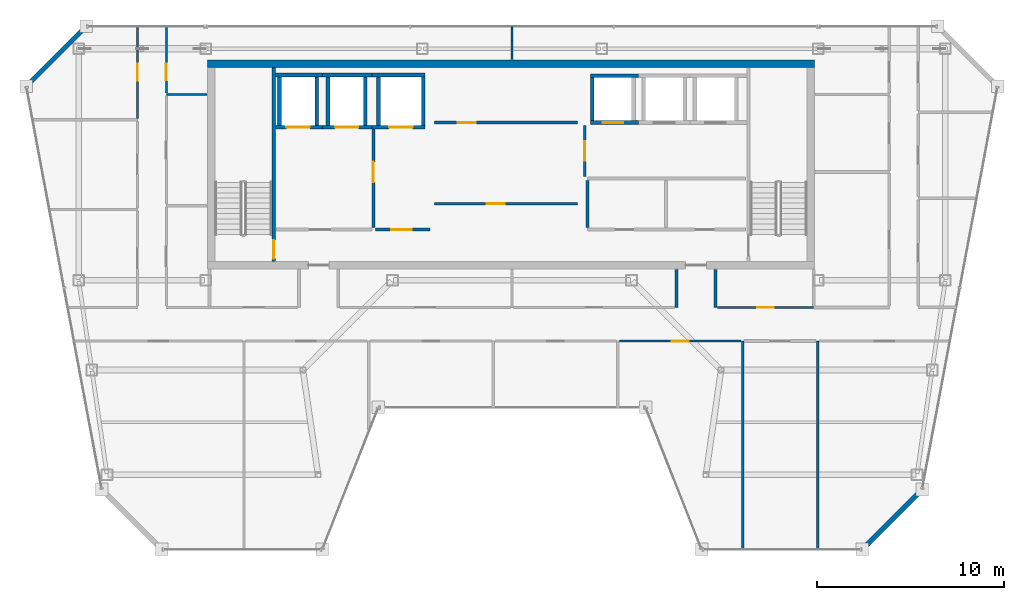
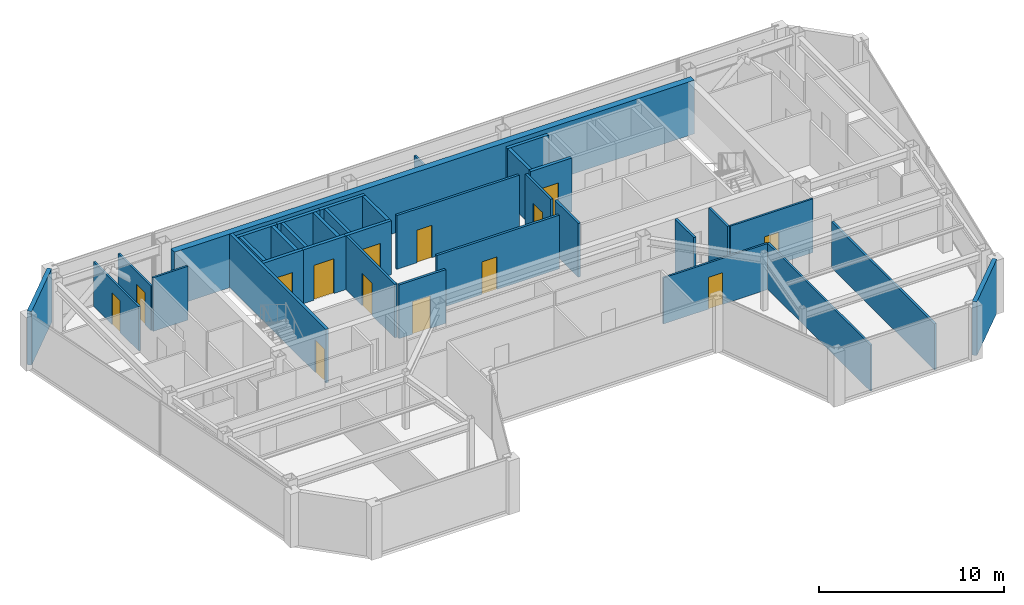
# One storey, part 19 of 23: 35 walls, 14 doors, 14 openings.
"""IFC4 building model written with IfcOpenShell, lengths in metres."""

from ifc_helpers import new_model, si_unit, direction, frame, frame_2d, origin, place, context, subcontext, project, spatial, rectangle, extrude, material, layer, layer_set, type_object, element, fill, save


model = new_model("IFC4")

# Units and contexts
model_context = context("Model", 3, precision=1e-05, world=origin(), true_north=direction((0.0, 1.0)))
body_context = subcontext(model_context, "Body", "Model", "MODEL_VIEW")
ifc_project = project(units=[si_unit("LENGTHUNIT", "METRE"), si_unit("AREAUNIT", "SQUARE_METRE"), si_unit("VOLUMEUNIT", "CUBIC_METRE"), si_unit("PLANEANGLEUNIT", "RADIAN"), si_unit("MASSUNIT", "GRAM", prefix="KILO")], contexts=[model_context])

# Site, building, storey
site_placement = place(None, origin())
site = spatial("IfcSite", under=ifc_project, at=site_placement, CompositionType="ELEMENT")
building_placement = place(site_placement, origin())
building = spatial("IfcBuilding", under=site, at=building_placement, Name="Saevonmaru Cultural Tower", CompositionType="ELEMENT")
storey_placement = place(building_placement, frame((0.0, 0.0, 280.0)))
storey = spatial("IfcBuildingStorey", under=building, at=storey_placement, Name="L66", CompositionType="ELEMENT", Elevation=280.0)

# Wall
ifc_material_1 = material(Name="Concrete C50/60", Category="concrete")
ifc_layer_1 = layer(ifc_material_1, 0.39990234375, Name="Concrete C50/60")
ifc_layer_set_1 = layer_set([ifc_layer_1], Name="Concrete C50/60")
wall_type_1 = type_object("IfcWallType", Name="WL-CORE-400", PredefinedType="SHEAR", material=ifc_layer_set_1)
wall_1_placement = place(storey_placement, frame((13.699951171875, 54.0, 0.0), z_axis=(0.0, 0.0, 1.0), x_axis=(1.0, 0.0, 0.0)))
element("IfcWall", 1, at=wall_1_placement, inside=storey, type_object=wall_type_1, Name="L66 Tower RC core shear wall N", PredefinedType="SHEAR", context=body_context, shape_type="SweptSolid", body=[
    extrude(rectangle(XDim=32.5, YDim=0.39990234375, at=frame_2d((16.25, 0.0))), origin(), (0.0, 0.0, 1.0), 3.550048828125),
])

# Wall, opening, door
ifc_material_2 = material(Name="Gypsum Fireboard Partition", Category="gypsum")
ifc_layer_2 = layer(ifc_material_2, 0.14990234375, Name="Gypsum Fireboard Partition")
ifc_layer_set_2 = layer_set([ifc_layer_2], Name="Gypsum Fireboard Partition")
wall_type_2 = type_object("IfcWallType", Name="WL-CORE-PART-150", PredefinedType="PARTITIONING", material=ifc_layer_set_2)
wall_2_placement = place(storey_placement, frame((22.580078125, 50.550048828125, 0.0), z_axis=(0.0, 0.0, 1.0), x_axis=(0.0, -1.0, 0.0)))
wall_2 = element("IfcWall", 2, at=wall_2_placement, inside=storey, type_object=wall_type_2, Name="L66 Firefighting Lift Lobby East Wall", PredefinedType="PARTITIONING", context=body_context, shape_type="SweptSolid", body=[
    extrude(rectangle(XDim=5.330078125, YDim=0.14990234375, at=frame_2d((2.6650390625, 0.0))), origin(), (0.0, 0.0, 1.0), 3.550048828125),
])
opening_1_placement = place(wall_2_placement, frame((1.800048828125, 0.0, 0.0)))
opening_1 = element("IfcOpeningElement", 3, at=opening_1_placement, cuts=wall_2, Name="Opening FD-2", PredefinedType="OPENING", context=body_context, shape_type="SweptSolid", body=[
    extrude(rectangle(XDim=1.10009765625, YDim=2.14990234375, at=frame_2d((0.550048828125, 1.074951171875))), frame((0.0, 0.0849609375, 0.0), z_axis=(0.0, -1.0, 0.0), x_axis=(1.0, 0.0, 0.0)), (0.0, 0.0, 1.0), 0.169921875),
])
ifc_material_3 = material(Name="Satin Bronze Anodised Aluminium", Category="aluminium")
door_type_1 = type_object("IfcDoorType", Name="DR-FD60-1100", OperationType="SINGLE_SWING_LEFT", PredefinedType="DOOR", material=ifc_material_3)
door_1_placement = place(opening_1_placement, origin())
door_1 = element("IfcDoor", 4, at=door_1_placement, inside=storey, type_object=door_type_1, Name="L66 Firefighting Lift Lobby East Door", OperationType="SINGLE_SWING_LEFT", OverallHeight=2.14990234375, OverallWidth=1.10009765625, PredefinedType="DOOR", context=body_context, shape_type="SweptSolid", body=[
    extrude(rectangle(XDim=1.10009765625, YDim=2.14990234375, at=frame_2d((0.550048828125, 1.074951171875))), frame((0.0, 0.02490234375, 0.0), z_axis=(0.0, -1.0, 0.0), x_axis=(1.0, 0.0, 0.0)), (0.0, 0.0, 1.0), 0.050048828125),
])
fill(opening_1, door_1)

wall_3_placement = place(storey_placement, frame((22.679931640625, 45.1201171875, 0.0), z_axis=(0.0, 0.0, 1.0), x_axis=(1.0, 0.0, 0.0)))
wall_3 = element("IfcWall", 5, at=wall_3_placement, inside=storey, type_object=wall_type_2, Name="L66 Service Lift Vestibule Wall", PredefinedType="PARTITIONING", context=body_context, shape_type="SweptSolid", body=[
    extrude(rectangle(XDim=2.920166015625, YDim=0.14990234375, at=frame_2d((1.4599609375, 0.0))), origin(), (0.0, 0.0, 1.0), 3.550048828125),
])
opening_2_placement = place(wall_3_placement, frame((0.85009765625, 0.0, 0.0)))
opening_2 = element("IfcOpeningElement", 6, at=opening_2_placement, cuts=wall_3, Name="Opening FD-2", PredefinedType="OPENING", context=body_context, shape_type="SweptSolid", body=[
    extrude(rectangle(XDim=1.10009765625, YDim=2.14990234375, at=frame_2d((0.550048828125, 1.074951171875))), frame((0.0, 0.0849609375, 0.0), z_axis=(0.0, -1.0, 0.0), x_axis=(1.0, 0.0, 0.0)), (0.0, 0.0, 1.0), 0.169921875),
])
door_2_placement = place(opening_2_placement, origin())
door_2 = element("IfcDoor", 7, at=door_2_placement, inside=storey, type_object=door_type_1, Name="L66 Service Lift Vestibule Door", OperationType="SINGLE_SWING_LEFT", OverallHeight=2.14990234375, OverallWidth=1.10009765625, PredefinedType="DOOR", context=body_context, shape_type="SweptSolid", body=[
    extrude(rectangle(XDim=1.10009765625, YDim=2.14990234375, at=frame_2d((0.550048828125, 1.074951171875))), frame((0.0, 0.02490234375, 0.0), z_axis=(0.0, -1.0, 0.0), x_axis=(1.0, 0.0, 0.0)), (0.0, 0.0, 1.0), 0.050048828125),
])
fill(opening_2, door_2)

wall_4_placement = place(storey_placement, frame((33.89990234375, 47.949951171875, 0.0), z_axis=(0.0, 0.0, 1.0), x_axis=(0.0, 1.0, 0.0)))
wall_4 = element("IfcWall", 8, at=wall_4_placement, inside=storey, type_object=wall_type_2, Name="L66 Zone Lobby Divider", PredefinedType="PARTITIONING", context=body_context, shape_type="SweptSolid", body=[
    extrude(rectangle(XDim=2.75, YDim=0.14990234375, at=frame_2d((1.375, 0.0))), origin(), (0.0, 0.0, 1.0), 3.550048828125),
])
opening_3_placement = place(wall_4_placement, frame((0.85009765625, 0.0, 0.0)))
opening_3 = element("IfcOpeningElement", 9, at=opening_3_placement, cuts=wall_4, Name="Opening ID-1", PredefinedType="OPENING", context=body_context, shape_type="SweptSolid", body=[
    extrude(rectangle(XDim=1.050048828125, YDim=2.14990234375, at=frame_2d((0.52490234375, 1.074951171875))), frame((0.0, 0.0849609375, 0.0), z_axis=(0.0, -1.0, 0.0), x_axis=(1.0, 0.0, 0.0)), (0.0, 0.0, 1.0), 0.169921875),
])
door_type_2 = type_object("IfcDoorType", Name="DR-INT-1050", OperationType="SINGLE_SWING_LEFT", PredefinedType="DOOR", material=ifc_material_3)
door_3_placement = place(opening_3_placement, origin())
door_3 = element("IfcDoor", 10, at=door_3_placement, inside=storey, type_object=door_type_2, Name="L66 Inter-Lobby Link Door", OperationType="SINGLE_SWING_LEFT", OverallHeight=2.14990234375, OverallWidth=1.050048828125, PredefinedType="DOOR", context=body_context, shape_type="SweptSolid", body=[
    extrude(rectangle(XDim=1.050048828125, YDim=2.14990234375, at=frame_2d((0.52490234375, 1.074951171875))), frame((0.0, 0.02490234375, 0.0), z_axis=(0.0, -1.0, 0.0), x_axis=(1.0, 0.0, 0.0)), (0.0, 0.0, 1.0), 0.050048828125),
])
fill(opening_3, door_3)

# Wall
wall_5_placement = place(storey_placement, frame((34.050048828125, 45.219970703125, 0.0), z_axis=(0.0, 0.0, 1.0), x_axis=(0.0, 1.0, 0.0)))
element("IfcWall", 11, at=wall_5_placement, inside=storey, type_object=wall_type_2, Name="L66 Core Plant West Wall", PredefinedType="PARTITIONING", context=body_context, shape_type="SweptSolid", body=[
    extrude(rectangle(XDim=2.530029296875, YDim=0.14990234375, at=frame_2d((1.26513671875, 0.0))), origin(), (0.0, 0.0, 1.0), 3.550048828125),
])

# Wall, opening, door
wall_6_placement = place(storey_placement, frame((25.85009765625, 50.85009765625, 0.0), z_axis=(0.0, 0.0, 1.0), x_axis=(1.0, 0.0, 0.0)))
wall_6 = element("IfcWall", 12, at=wall_6_placement, inside=storey, type_object=wall_type_2, Name="L66 Reclaimed Core Room South Wall", PredefinedType="PARTITIONING", context=body_context, shape_type="SweptSolid", body=[
    extrude(rectangle(XDim=7.64990234375, YDim=0.14990234375, at=frame_2d((3.824951171875, 0.0))), origin(), (0.0, 0.0, 1.0), 3.550048828125),
])
opening_4_placement = place(wall_6_placement, frame((1.25, 0.0, 0.0)))
opening_4 = element("IfcOpeningElement", 13, at=opening_4_placement, cuts=wall_6, Name="Opening FD-4", PredefinedType="OPENING", context=body_context, shape_type="SweptSolid", body=[
    extrude(rectangle(XDim=0.949951171875, YDim=2.14990234375, at=frame_2d((0.47509765625, 1.074951171875))), frame((0.0, 0.0849609375, 0.0), z_axis=(0.0, -1.0, 0.0), x_axis=(1.0, 0.0, 0.0)), (0.0, 0.0, 1.0), 0.169921875),
])
door_type_3 = type_object("IfcDoorType", Name="DR-FD60-950", OperationType="SINGLE_SWING_LEFT", PredefinedType="DOOR", material=ifc_material_3)
door_4_placement = place(opening_4_placement, origin())
door_4 = element("IfcDoor", 14, at=door_4_placement, inside=storey, type_object=door_type_3, Name="L66 Reclaimed Archive Vault Door", OperationType="SINGLE_SWING_LEFT", OverallHeight=2.14990234375, OverallWidth=0.949951171875, PredefinedType="DOOR", context=body_context, shape_type="SweptSolid", body=[
    extrude(rectangle(XDim=0.949951171875, YDim=2.14990234375, at=frame_2d((0.47509765625, 1.074951171875))), frame((0.0, 0.02490234375, 0.0), z_axis=(0.0, -1.0, 0.0), x_axis=(1.0, 0.0, 0.0)), (0.0, 0.0, 1.0), 0.050048828125),
])
fill(opening_4, door_4)

wall_7_placement = place(storey_placement, frame((25.85009765625, 46.5, 0.0), z_axis=(0.0, 0.0, 1.0), x_axis=(1.0, 0.0, 0.0)))
wall_7 = element("IfcWall", 15, at=wall_7_placement, inside=storey, type_object=wall_type_2, Name="L66 Reclaimed Mid-Shaft Wall", PredefinedType="PARTITIONING", context=body_context, shape_type="SweptSolid", body=[
    extrude(rectangle(XDim=7.64990234375, YDim=0.14990234375, at=frame_2d((3.824951171875, 0.0))), origin(), (0.0, 0.0, 1.0), 3.550048828125),
])
opening_5_placement = place(wall_7_placement, frame((2.800048828125, 0.0, 0.0)))
opening_5 = element("IfcOpeningElement", 16, at=opening_5_placement, cuts=wall_7, Name="Opening FD-4", PredefinedType="OPENING", context=body_context, shape_type="SweptSolid", body=[
    extrude(rectangle(XDim=0.949951171875, YDim=2.14990234375, at=frame_2d((0.47509765625, 1.074951171875))), frame((0.0, 0.0849609375, 0.0), z_axis=(0.0, -1.0, 0.0), x_axis=(1.0, 0.0, 0.0)), (0.0, 0.0, 1.0), 0.169921875),
])
door_5_placement = place(opening_5_placement, origin())
door_5 = element("IfcDoor", 17, at=door_5_placement, inside=storey, type_object=door_type_3, Name="L66 Reclaimed Manuscript Storage Door", OperationType="SINGLE_SWING_LEFT", OverallHeight=2.14990234375, OverallWidth=0.949951171875, PredefinedType="DOOR", context=body_context, shape_type="SweptSolid", body=[
    extrude(rectangle(XDim=0.949951171875, YDim=2.14990234375, at=frame_2d((0.47509765625, 1.074951171875))), frame((0.0, 0.02490234375, 0.0), z_axis=(0.0, -1.0, 0.0), x_axis=(1.0, 0.0, 0.0)), (0.0, 0.0, 1.0), 0.050048828125),
])
fill(opening_5, door_5)

# Walls
ifc_material_4 = material(Name="Granite-Clad Precast Concrete C40/50", Category="masonry")
ifc_layer_3 = layer(ifc_material_4, 0.260009765625, Name="Granite-Clad Precast Concrete C40/50")
ifc_layer_set_3 = layer_set([ifc_layer_3], Name="Granite-Clad Precast Concrete C40/50")
wall_type_3 = type_object("IfcWallType", Name="WL-EXT-SPANDREL-260", PredefinedType="STANDARD", material=ifc_layer_set_3)
for number, where, z_axis, x_axis, name in (
    (18, (48.86865234375, 28.113037109375, 0.0), (0.0, 0.0, 1.0), (0.707106781187, 0.707106781187, 0.0), "L66 Chamfer Corner Spandrel Wall E7"),
    (19, (7.0869140625, 55.886962890625, 0.0), (0.0, 0.0, 1.0), (-0.707106781187, -0.707106781187, 0.0), "L66 Chamfer Corner Spandrel Wall E11"),
):
    element("IfcWall", number, at=place(storey_placement, frame(where, z_axis=z_axis, x_axis=x_axis)), inside=storey, type_object=wall_type_3, Name=name, PredefinedType="STANDARD", context=body_context, shape_type="SweptSolid", body=[
        extrude(rectangle(XDim=4.205810546875, YDim=0.260009765625, at=frame_2d((2.10302734375, 0.0))), origin(), (0.0, 0.0, 1.0), 3.550048828125),
    ])
ifc_layer_4 = layer(ifc_material_2, 0.14990234375, Name="Gypsum Fireboard Partition")
ifc_layer_set_4 = layer_set([ifc_layer_4], Name="Gypsum Fireboard Partition")
wall_type_4 = type_object("IfcWallType", Name="WL-PART-FIRE-150", PredefinedType="PARTITIONING", material=ifc_layer_set_4)
for number, where, z_axis, x_axis, name in (
    (20, (38.800048828125, 40.949951171875, 0.0), (0.0, 0.0, 1.0), (0.0, 1.0, 0.0), "L66 Core Portal Side Wall E1"),
    (21, (40.89990234375, 40.949951171875, 0.0), (0.0, 0.0, 1.0), (0.0, 1.0, 0.0), "L66 Core Portal Side Wall E2"),
):
    element("IfcWall", number, at=place(storey_placement, frame(where, z_axis=z_axis, x_axis=x_axis)), inside=storey, type_object=wall_type_4, Name=name, PredefinedType="PARTITIONING", context=body_context, shape_type="SweptSolid", body=[
        extrude(rectangle(XDim=2.030029296875, YDim=0.14990234375, at=frame_2d((1.01513671875, 0.0))), origin(), (0.0, 0.0, 1.0), 3.550048828125),
    ])
ifc_layer_5 = layer(ifc_material_2, 0.1201171875, Name="Gypsum Fireboard Partition")
ifc_layer_set_5 = layer_set([ifc_layer_5], Name="Gypsum Fireboard Partition")
wall_type_5 = type_object("IfcWallType", Name="WL-PART-GYP-120", PredefinedType="PARTITIONING", material=ifc_layer_set_5)
wall_8_placement = place(storey_placement, frame((11.5, 52.35009765625, 0.0), z_axis=(0.0, 0.0, 1.0), x_axis=(1.0, 0.0, 0.0)))
element("IfcWall", 22, at=wall_8_placement, inside=storey, type_object=wall_type_5, Name="L66 North-West Panorama South Wall", PredefinedType="PARTITIONING", context=body_context, shape_type="SweptSolid", body=[
    extrude(rectangle(XDim=2.179931640625, YDim=0.1201171875, at=frame_2d((1.08984375, 0.0))), origin(), (0.0, 0.0, 1.0), 3.550048828125),
])
wall_9_placement = place(storey_placement, frame((30.0, 54.219970703125, 0.0), z_axis=(0.0, 0.0, 1.0), x_axis=(0.0, 1.0, 0.0)))
element("IfcWall", 23, at=wall_9_placement, inside=storey, type_object=wall_type_5, Name="L66 North Panorama Center Split", PredefinedType="PARTITIONING", context=body_context, shape_type="SweptSolid", body=[
    extrude(rectangle(XDim=1.775146484375, YDim=0.1201171875, at=frame_2d((0.8876953125, 0.0))), origin(), (0.0, 0.0, 1.0), 2.93505859375),
])

# Wall, opening, door
wall_10_placement = place(storey_placement, frame((11.5, 52.429931640625, 0.0), z_axis=(0.0, 0.0, 1.0), x_axis=(0.0, 1.0, 0.0)))
wall_10 = element("IfcWall", 24, at=wall_10_placement, inside=storey, type_object=wall_type_5, Name="L66 Typography Design Classroom Corridor Wall", PredefinedType="PARTITIONING", context=body_context, shape_type="SweptSolid", body=[
    extrude(rectangle(XDim=3.565185546875, YDim=0.1201171875, at=frame_2d((1.78271484375, 0.0))), origin(), (0.0, 0.0, 1.0), 2.93505859375),
])
opening_6_placement = place(wall_10_placement, frame((0.672119140625, 0.0, 0.0)))
opening_6 = element("IfcOpeningElement", 25, at=opening_6_placement, cuts=wall_10, Name="Opening ID-2", PredefinedType="OPENING", context=body_context, shape_type="SweptSolid", body=[
    extrude(rectangle(XDim=0.89990234375, YDim=2.10009765625, at=frame_2d((0.449951171875, 1.050048828125))), frame((0.0, 0.070068359375, 0.0), z_axis=(0.0, -1.0, 0.0), x_axis=(1.0, 0.0, 0.0)), (0.0, 0.0, 1.0), 0.14013671875),
])
ifc_material_5 = material(Name="Acoustic Stained Oak Timber", Category="wood")
door_type_4 = type_object("IfcDoorType", Name="DR-INT-900", OperationType="SINGLE_SWING_RIGHT", PredefinedType="DOOR", material=ifc_material_5)
door_6_placement = place(opening_6_placement, origin())
door_6 = element("IfcDoor", 26, at=door_6_placement, inside=storey, type_object=door_type_4, Name="L66 Typography Design Classroom Door", OperationType="SINGLE_SWING_LEFT", OverallHeight=2.10009765625, OverallWidth=0.89990234375, PredefinedType="DOOR", context=body_context, shape_type="SweptSolid", body=[
    extrude(rectangle(XDim=0.89990234375, YDim=2.10009765625, at=frame_2d((0.449951171875, 1.050048828125))), frame((0.0, 0.02490234375, 0.0), z_axis=(0.0, -1.0, 0.0), x_axis=(1.0, 0.0, 0.0)), (0.0, 0.0, 1.0), 0.050048828125),
])
fill(opening_6, door_6)

wall_11_placement = place(storey_placement, frame((9.949951171875, 51.080078125, 0.0), z_axis=(0.0, 0.0, 1.0), x_axis=(0.0, 1.0, 0.0)))
wall_11 = element("IfcWall", 27, at=wall_11_placement, inside=storey, type_object=wall_type_5, Name="L66 Typography Design Classroom Corridor Wall", PredefinedType="PARTITIONING", context=body_context, shape_type="SweptSolid", body=[
    extrude(rectangle(XDim=4.9150390625, YDim=0.1201171875, at=frame_2d((2.45751953125, 0.0))), origin(), (0.0, 0.0, 1.0), 2.93505859375),
])
opening_7_placement = place(wall_11_placement, frame((2.007080078125, 0.0, 0.0)))
opening_7 = element("IfcOpeningElement", 28, at=opening_7_placement, cuts=wall_11, Name="Opening ID-2", PredefinedType="OPENING", context=body_context, shape_type="SweptSolid", body=[
    extrude(rectangle(XDim=0.89990234375, YDim=2.10009765625, at=frame_2d((0.449951171875, 1.050048828125))), frame((0.0, 0.070068359375, 0.0), z_axis=(0.0, -1.0, 0.0), x_axis=(1.0, 0.0, 0.0)), (0.0, 0.0, 1.0), 0.14013671875),
])
door_7_placement = place(opening_7_placement, origin())
door_7 = element("IfcDoor", 29, at=door_7_placement, inside=storey, type_object=door_type_4, Name="L66 Typography Design Classroom Door", OperationType="SINGLE_SWING_RIGHT", OverallHeight=2.10009765625, OverallWidth=0.89990234375, PredefinedType="DOOR", context=body_context, shape_type="SweptSolid", body=[
    extrude(rectangle(XDim=0.89990234375, YDim=2.10009765625, at=frame_2d((0.449951171875, 1.050048828125))), frame((0.0, 0.02490234375, 0.0), z_axis=(0.0, -1.0, 0.0), x_axis=(1.0, 0.0, 0.0)), (0.0, 0.0, 1.0), 0.050048828125),
])
fill(opening_7, door_7)

wall_12_placement = place(storey_placement, frame((40.9951171875, 40.949951171875, 0.0), z_axis=(0.0, 0.0, 1.0), x_axis=(1.0, 0.0, 0.0)))
wall_12 = element("IfcWall", 30, at=wall_12_placement, inside=storey, type_object=wall_type_5, Name="L66 Typography Design Classroom Corridor Wall", PredefinedType="PARTITIONING", context=body_context, shape_type="SweptSolid", body=[
    extrude(rectangle(XDim=5.15478515625, YDim=0.1201171875, at=frame_2d((2.577392578125, 0.0))), origin(), (0.0, 0.0, 1.0), 3.550048828125),
])
opening_8_placement = place(wall_12_placement, frame((2.1279296875, 0.0, 0.0)))
opening_8 = element("IfcOpeningElement", 31, at=opening_8_placement, cuts=wall_12, Name="Opening ID-2", PredefinedType="OPENING", context=body_context, shape_type="SweptSolid", body=[
    extrude(rectangle(XDim=0.89990234375, YDim=2.10009765625, at=frame_2d((0.449951171875, 1.050048828125))), frame((0.0, 0.070068359375, 0.0), z_axis=(0.0, -1.0, 0.0), x_axis=(1.0, 0.0, 0.0)), (0.0, 0.0, 1.0), 0.14013671875),
])
door_8_placement = place(opening_8_placement, origin())
door_8 = element("IfcDoor", 32, at=door_8_placement, inside=storey, type_object=door_type_4, Name="L66 Typography Design Classroom Door", OperationType="SINGLE_SWING_LEFT", OverallHeight=2.10009765625, OverallWidth=0.89990234375, PredefinedType="DOOR", context=body_context, shape_type="SweptSolid", body=[
    extrude(rectangle(XDim=0.89990234375, YDim=2.10009765625, at=frame_2d((0.449951171875, 1.050048828125))), frame((0.0, 0.02490234375, 0.0), z_axis=(0.0, -1.0, 0.0), x_axis=(1.0, 0.0, 0.0)), (0.0, 0.0, 1.0), 0.050048828125),
])
fill(opening_8, door_8)

# Wall
wall_13_placement = place(storey_placement, frame((42.35009765625, 28.0048828125, 0.0), z_axis=(0.0, 0.0, 1.0), x_axis=(0.0, 1.0, 0.0)))
element("IfcWall", 33, at=wall_13_placement, inside=storey, type_object=wall_type_5, Name="L66 Observatory Bay Divider 5", PredefinedType="PARTITIONING", context=body_context, shape_type="SweptSolid", body=[
    extrude(rectangle(XDim=11.14501953125, YDim=0.1201171875, at=frame_2d((5.572509765625, 0.0))), origin(), (0.0, 0.0, 1.0), 3.047119140625),
])

# Wall, opening, door
wall_14_placement = place(storey_placement, frame((35.757568359375, 39.14990234375, 0.0), z_axis=(0.0, 0.0, 1.0), x_axis=(1.0, 0.0, 0.0)))
wall_14 = element("IfcWall", 34, at=wall_14_placement, inside=storey, type_object=wall_type_5, Name="L66 Curatorial Board Meeting Room Corridor Wall", PredefinedType="PARTITIONING", context=body_context, shape_type="SweptSolid", body=[
    extrude(rectangle(XDim=6.512451171875, YDim=0.1201171875, at=frame_2d((3.25634765625, 0.0))), origin(), (0.0, 0.0, 1.0), 3.047119140625),
])
opening_9_placement = place(wall_14_placement, frame((2.805908203125, 0.0, 0.0)))
opening_9 = element("IfcOpeningElement", 35, at=opening_9_placement, cuts=wall_14, Name="Opening ID-2", PredefinedType="OPENING", context=body_context, shape_type="SweptSolid", body=[
    extrude(rectangle(XDim=0.89990234375, YDim=2.10009765625, at=frame_2d((0.449951171875, 1.050048828125))), frame((0.0, 0.070068359375, 0.0), z_axis=(0.0, -1.0, 0.0), x_axis=(1.0, 0.0, 0.0)), (0.0, 0.0, 1.0), 0.14013671875),
])
door_9_placement = place(opening_9_placement, origin())
door_9 = element("IfcDoor", 36, at=door_9_placement, inside=storey, type_object=door_type_4, Name="L66 Curatorial Board Meeting Room Door", OperationType="SINGLE_SWING_RIGHT", OverallHeight=2.10009765625, OverallWidth=0.89990234375, PredefinedType="DOOR", context=body_context, shape_type="SweptSolid", body=[
    extrude(rectangle(XDim=0.89990234375, YDim=2.10009765625, at=frame_2d((0.449951171875, 1.050048828125))), frame((0.0, 0.02490234375, 0.0), z_axis=(0.0, -1.0, 0.0), x_axis=(1.0, 0.0, 0.0)), (0.0, 0.0, 1.0), 0.050048828125),
])
fill(opening_9, door_9)

# Wall
ifc_layer_6 = layer(ifc_material_2, 0.135009765625, Name="Gypsum Fireboard Partition")
ifc_layer_set_6 = layer_set([ifc_layer_6], Name="Gypsum Fireboard Partition")
wall_type_6 = type_object("IfcWallType", Name="WL-PART-GYP-135", PredefinedType="PARTITIONING", material=ifc_layer_set_6)
wall_15_placement = place(storey_placement, frame((46.360107421875, 28.0048828125, 0.0), z_axis=(0.0, 0.0, 1.0), x_axis=(0.0, 1.0, 0.0)))
element("IfcWall", 37, at=wall_15_placement, inside=storey, type_object=wall_type_6, Name="L66 Observatory Bay Divider 6", PredefinedType="PARTITIONING", context=body_context, shape_type="SweptSolid", body=[
    extrude(rectangle(XDim=11.14501953125, YDim=0.135009765625, at=frame_2d((5.572509765625, 0.0))), origin(), (0.0, 0.0, 1.0), 3.047119140625),
])

# Wall, opening, door
ifc_material_6 = material(Name="Concrete C40/50", Category="concrete")
ifc_layer_7 = layer(ifc_material_6, 0.199951171875, Name="Concrete C40/50")
ifc_layer_set_7 = layer_set([ifc_layer_7], Name="Concrete C40/50")
wall_type_7 = type_object("IfcWallType", Name="WL-SHAFT-200", PredefinedType="SHEAR", material=ifc_layer_set_7)
wall_16_placement = place(storey_placement, frame((17.330078125, 50.60009765625, 0.0), z_axis=(0.0, 0.0, 1.0), x_axis=(1.0, 0.0, 0.0)))
wall_16 = element("IfcWall", 38, at=wall_16_placement, inside=storey, type_object=wall_type_7, Name="L66 Lift FFL-1 Hoistway Wall S", PredefinedType="SHEAR", context=body_context, shape_type="SweptSolid", body=[
    extrude(rectangle(XDim=2.52001953125, YDim=0.199951171875, at=frame_2d((1.260009765625, 0.0))), origin(), (0.0, 0.0, 1.0), 3.550048828125),
])
opening_10_placement = place(wall_16_placement, frame((0.594970703125, 0.0, 0.0)))
opening_10 = element("IfcOpeningElement", 39, at=opening_10_placement, cuts=wall_16, Name="Opening LD-2", PredefinedType="OPENING", context=body_context, shape_type="SweptSolid", body=[
    extrude(rectangle(XDim=1.25, YDim=2.300048828125, at=frame_2d((0.625, 1.14990234375))), frame((0.0, 0.10986328125, 0.0), z_axis=(0.0, -1.0, 0.0), x_axis=(1.0, 0.0, 0.0)), (0.0, 0.0, 1.0), 0.219970703125),
])
ifc_material_7 = material(Name="Stainless Steel 316", Category="steel")
door_type_5 = type_object("IfcDoorType", Name="DR-LIFT-1250", OperationType="SLIDING_TO_LEFT", PredefinedType="DOOR", material=ifc_material_7)
door_10_placement = place(opening_10_placement, origin())
door_10 = element("IfcDoor", 40, at=door_10_placement, inside=storey, type_object=door_type_5, Name="L66 Lift FFL-1 Sliding Landing Door", OperationType="SLIDING_TO_LEFT", OverallHeight=2.300048828125, OverallWidth=1.25, PredefinedType="DOOR", context=body_context, shape_type="SweptSolid", body=[
    extrude(rectangle(XDim=1.25, YDim=2.300048828125, at=frame_2d((0.625, 1.14990234375))), frame((0.0, 0.02490234375, 0.0), z_axis=(0.0, -1.0, 0.0), x_axis=(1.0, 0.0, 0.0)), (0.0, 0.0, 1.0), 0.050048828125),
])
fill(opening_10, door_10)

# Walls
wall_17_placement = place(storey_placement, frame((17.330078125, 53.39990234375, 0.0), z_axis=(0.0, 0.0, 1.0), x_axis=(1.0, 0.0, 0.0)))
element("IfcWall", 41, at=wall_17_placement, inside=storey, type_object=wall_type_7, Name="L66 Lift FFL-1 Hoistway Wall N", PredefinedType="SHEAR", context=body_context, shape_type="SweptSolid", body=[
    extrude(rectangle(XDim=2.52001953125, YDim=0.199951171875, at=frame_2d((1.260009765625, 0.0))), origin(), (0.0, 0.0, 1.0), 3.550048828125),
])
for number, where, z_axis, x_axis, name in (
    (42, (17.550048828125, 50.699951171875, 0.0), (0.0, 0.0, 1.0), (0.0, 1.0, 0.0), "L66 Lift FFL-1 Hoistway Wall W"),
    (43, (19.550048828125, 50.699951171875, 0.0), (0.0, 0.0, 1.0), (0.0, 1.0, 0.0), "L66 Lift FFL-1 Hoistway Wall E"),
):
    element("IfcWall", number, at=place(storey_placement, frame(where, z_axis=z_axis, x_axis=x_axis)), inside=storey, type_object=wall_type_7, Name=name, PredefinedType="SHEAR", context=body_context, shape_type="SweptSolid", body=[
        extrude(rectangle(XDim=2.60009765625, YDim=0.199951171875, at=frame_2d((1.300048828125, 0.0))), origin(), (0.0, 0.0, 1.0), 3.550048828125),
    ])

# Wall, opening, door
wall_18_placement = place(storey_placement, frame((19.85009765625, 50.60009765625, 0.0), z_axis=(0.0, 0.0, 1.0), x_axis=(1.0, 0.0, 0.0)))
wall_18 = element("IfcWall", 44, at=wall_18_placement, inside=storey, type_object=wall_type_7, Name="L66 Lift FFL-2 Hoistway Wall S", PredefinedType="SHEAR", context=body_context, shape_type="SweptSolid", body=[
    extrude(rectangle(XDim=2.64990234375, YDim=0.199951171875, at=frame_2d((1.324951171875, 0.0))), origin(), (0.0, 0.0, 1.0), 3.550048828125),
])
opening_11_placement = place(wall_18_placement, frame((0.675048828125, 0.0, 0.0)))
opening_11 = element("IfcOpeningElement", 45, at=opening_11_placement, cuts=wall_18, Name="Opening LD-2", PredefinedType="OPENING", context=body_context, shape_type="SweptSolid", body=[
    extrude(rectangle(XDim=1.25, YDim=2.300048828125, at=frame_2d((0.625, 1.14990234375))), frame((0.0, 0.10986328125, 0.0), z_axis=(0.0, -1.0, 0.0), x_axis=(1.0, 0.0, 0.0)), (0.0, 0.0, 1.0), 0.219970703125),
])
door_11_placement = place(opening_11_placement, origin())
door_11 = element("IfcDoor", 46, at=door_11_placement, inside=storey, type_object=door_type_5, Name="L66 Lift FFL-2 Sliding Landing Door", OperationType="SLIDING_TO_LEFT", OverallHeight=2.300048828125, OverallWidth=1.25, PredefinedType="DOOR", context=body_context, shape_type="SweptSolid", body=[
    extrude(rectangle(XDim=1.25, YDim=2.300048828125, at=frame_2d((0.625, 1.14990234375))), frame((0.0, 0.02490234375, 0.0), z_axis=(0.0, -1.0, 0.0), x_axis=(1.0, 0.0, 0.0)), (0.0, 0.0, 1.0), 0.050048828125),
])
fill(opening_11, door_11)

# Walls
wall_19_placement = place(storey_placement, frame((19.85009765625, 53.39990234375, 0.0), z_axis=(0.0, 0.0, 1.0), x_axis=(1.0, 0.0, 0.0)))
element("IfcWall", 47, at=wall_19_placement, inside=storey, type_object=wall_type_7, Name="L66 Lift FFL-2 Hoistway Wall N", PredefinedType="SHEAR", context=body_context, shape_type="SweptSolid", body=[
    extrude(rectangle(XDim=2.64990234375, YDim=0.199951171875, at=frame_2d((1.324951171875, 0.0))), origin(), (0.0, 0.0, 1.0), 3.550048828125),
])
for number, where, z_axis, x_axis, name in (
    (48, (20.14990234375, 50.699951171875, 0.0), (0.0, 0.0, 1.0), (0.0, 1.0, 0.0), "L66 Lift FFL-2 Hoistway Wall W"),
    (49, (22.14990234375, 50.699951171875, 0.0), (0.0, 0.0, 1.0), (0.0, 1.0, 0.0), "L66 Lift FFL-2 Hoistway Wall E"),
):
    element("IfcWall", number, at=place(storey_placement, frame(where, z_axis=z_axis, x_axis=x_axis)), inside=storey, type_object=wall_type_7, Name=name, PredefinedType="SHEAR", context=body_context, shape_type="SweptSolid", body=[
        extrude(rectangle(XDim=2.60009765625, YDim=0.199951171875, at=frame_2d((1.300048828125, 0.0))), origin(), (0.0, 0.0, 1.0), 3.550048828125),
    ])

# Wall, opening, door
wall_20_placement = place(storey_placement, frame((22.5, 50.60009765625, 0.0), z_axis=(0.0, 0.0, 1.0), x_axis=(1.0, 0.0, 0.0)))
wall_20 = element("IfcWall", 50, at=wall_20_placement, inside=storey, type_object=wall_type_7, Name="L66 Lift GL-1 Hoistway Wall S", PredefinedType="SHEAR", context=body_context, shape_type="SweptSolid", body=[
    extrude(rectangle(XDim=2.85009765625, YDim=0.199951171875, at=frame_2d((1.425048828125, 0.0))), origin(), (0.0, 0.0, 1.0), 3.550048828125),
])
opening_12_placement = place(wall_20_placement, frame((0.925048828125, 0.0, 0.0)))
opening_12 = element("IfcOpeningElement", 51, at=opening_12_placement, cuts=wall_20, Name="Opening LD-2", PredefinedType="OPENING", context=body_context, shape_type="SweptSolid", body=[
    extrude(rectangle(XDim=1.25, YDim=2.300048828125, at=frame_2d((0.625, 1.14990234375))), frame((0.0, 0.10986328125, 0.0), z_axis=(0.0, -1.0, 0.0), x_axis=(1.0, 0.0, 0.0)), (0.0, 0.0, 1.0), 0.219970703125),
])
door_12_placement = place(opening_12_placement, origin())
door_12 = element("IfcDoor", 52, at=door_12_placement, inside=storey, type_object=door_type_5, Name="L66 Lift GL-1 Sliding Landing Door", OperationType="SLIDING_TO_LEFT", OverallHeight=2.300048828125, OverallWidth=1.25, PredefinedType="DOOR", context=body_context, shape_type="SweptSolid", body=[
    extrude(rectangle(XDim=1.25, YDim=2.300048828125, at=frame_2d((0.625, 1.14990234375))), frame((0.0, 0.02490234375, 0.0), z_axis=(0.0, -1.0, 0.0), x_axis=(1.0, 0.0, 0.0)), (0.0, 0.0, 1.0), 0.050048828125),
])
fill(opening_12, door_12)

# Walls
wall_21_placement = place(storey_placement, frame((22.5, 53.39990234375, 0.0), z_axis=(0.0, 0.0, 1.0), x_axis=(1.0, 0.0, 0.0)))
element("IfcWall", 53, at=wall_21_placement, inside=storey, type_object=wall_type_7, Name="L66 Lift GL-1 Hoistway Wall N", PredefinedType="SHEAR", context=body_context, shape_type="SweptSolid", body=[
    extrude(rectangle(XDim=2.85009765625, YDim=0.199951171875, at=frame_2d((1.425048828125, 0.0))), origin(), (0.0, 0.0, 1.0), 3.550048828125),
])
for number, where, z_axis, x_axis, name in (
    (54, (22.85009765625, 50.699951171875, 0.0), (0.0, 0.0, 1.0), (0.0, 1.0, 0.0), "L66 Lift GL-1 Hoistway Wall W"),
    (55, (25.25, 50.699951171875, 0.0), (0.0, 0.0, 1.0), (0.0, 1.0, 0.0), "L66 Lift GL-1 Hoistway Wall E"),
):
    element("IfcWall", number, at=place(storey_placement, frame(where, z_axis=z_axis, x_axis=x_axis)), inside=storey, type_object=wall_type_7, Name=name, PredefinedType="SHEAR", context=body_context, shape_type="SweptSolid", body=[
        extrude(rectangle(XDim=2.60009765625, YDim=0.199951171875, at=frame_2d((1.300048828125, 0.0))), origin(), (0.0, 0.0, 1.0), 3.550048828125),
    ])

# Wall, opening, door
wall_22_placement = place(storey_placement, frame((34.199951171875, 50.85009765625, 0.0), z_axis=(0.0, 0.0, 1.0), x_axis=(1.0, 0.0, 0.0)))
wall_22 = element("IfcWall", 56, at=wall_22_placement, inside=storey, type_object=wall_type_7, Name="L66 Lift PL-H1 Hoistway Wall S", PredefinedType="SHEAR", context=body_context, shape_type="SweptSolid", body=[
    extrude(rectangle(XDim=2.574951171875, YDim=0.199951171875, at=frame_2d((1.28759765625, 0.0))), origin(), (0.0, 0.0, 1.0), 3.550048828125),
])
opening_13_placement = place(wall_22_placement, frame((0.64990234375, 0.0, 0.0)))
opening_13 = element("IfcOpeningElement", 57, at=opening_13_placement, cuts=wall_22, Name="Opening LD-1", PredefinedType="OPENING", context=body_context, shape_type="SweptSolid", body=[
    extrude(rectangle(XDim=1.10009765625, YDim=2.199951171875, at=frame_2d((0.550048828125, 1.10009765625))), frame((0.0, 0.10986328125, 0.0), z_axis=(0.0, -1.0, 0.0), x_axis=(1.0, 0.0, 0.0)), (0.0, 0.0, 1.0), 0.219970703125),
])
ifc_material_8 = material(Name="Satin Bronze Stainless Steel", Category="steel")
door_type_6 = type_object("IfcDoorType", Name="DR-LIFT-1100", OperationType="SLIDING_TO_LEFT", PredefinedType="DOOR", material=ifc_material_8)
door_13_placement = place(opening_13_placement, origin())
door_13 = element("IfcDoor", 58, at=door_13_placement, inside=storey, type_object=door_type_6, Name="L66 Lift PL-H1 Sliding Landing Door", OperationType="SLIDING_TO_LEFT", OverallHeight=2.199951171875, OverallWidth=1.10009765625, PredefinedType="DOOR", context=body_context, shape_type="SweptSolid", body=[
    extrude(rectangle(XDim=1.10009765625, YDim=2.199951171875, at=frame_2d((0.550048828125, 1.10009765625))), frame((0.0, 0.02490234375, 0.0), z_axis=(0.0, -1.0, 0.0), x_axis=(1.0, 0.0, 0.0)), (0.0, 0.0, 1.0), 0.050048828125),
])
fill(opening_13, door_13)

# Walls
wall_23_placement = place(storey_placement, frame((34.199951171875, 53.35009765625, 0.0), z_axis=(0.0, 0.0, 1.0), x_axis=(1.0, 0.0, 0.0)))
element("IfcWall", 59, at=wall_23_placement, inside=storey, type_object=wall_type_7, Name="L66 Lift PL-H1 Hoistway Wall N", PredefinedType="SHEAR", context=body_context, shape_type="SweptSolid", body=[
    extrude(rectangle(XDim=2.574951171875, YDim=0.199951171875, at=frame_2d((1.28759765625, 0.0))), origin(), (0.0, 0.0, 1.0), 3.550048828125),
])
wall_24_placement = place(storey_placement, frame((34.300048828125, 50.949951171875, 0.0), z_axis=(0.0, 0.0, 1.0), x_axis=(0.0, 1.0, 0.0)))
element("IfcWall", 60, at=wall_24_placement, inside=storey, type_object=wall_type_7, Name="L66 Lift PL-H1 Hoistway Wall W", PredefinedType="SHEAR", context=body_context, shape_type="SweptSolid", body=[
    extrude(rectangle(XDim=2.300048828125, YDim=0.199951171875, at=frame_2d((1.14990234375, 0.0))), origin(), (0.0, 0.0, 1.0), 3.550048828125),
])

# Wall, opening, door
ifc_layer_8 = layer(ifc_material_6, 0.179931640625, Name="Concrete C40/50")
ifc_layer_set_8 = layer_set([ifc_layer_8], Name="Concrete C40/50")
wall_type_8 = type_object("IfcWallType", Name="WL-STSHAFT-180", PredefinedType="SHEAR", material=ifc_layer_set_8)
wall_25_placement = place(storey_placement, frame((17.239990234375, 43.39990234375, 0.0), z_axis=(0.0, 0.0, 1.0), x_axis=(0.0, 1.0, 0.0)))
wall_25 = element("IfcWall", 61, at=wall_25_placement, inside=storey, type_object=wall_type_8, Name="L66 Stair ST-1 Structural Shaft Wall 1", PredefinedType="SHEAR", context=body_context, shape_type="SweptSolid", body=[
    extrude(rectangle(XDim=10.400146484375, YDim=0.179931640625, at=frame_2d((5.2001953125, 0.0))), origin(), (0.0, 0.0, 1.0), 3.550048828125),
])
opening_14_placement = place(wall_25_placement, frame((0.159912109375, 0.0, 0.0)))
opening_14 = element("IfcOpeningElement", 62, at=opening_14_placement, cuts=wall_25, Name="Opening FD-3", PredefinedType="OPENING", context=body_context, shape_type="SweptSolid", body=[
    extrude(rectangle(XDim=1.0, YDim=2.14990234375, at=frame_2d((0.5, 1.074951171875))), frame((0.0, 0.10009765625, 0.0), z_axis=(0.0, -1.0, 0.0), x_axis=(1.0, 0.0, 0.0)), (0.0, 0.0, 1.0), 0.199951171875),
])
door_type_7 = type_object("IfcDoorType", Name="DR-FD60-1000", OperationType="SINGLE_SWING_RIGHT", PredefinedType="DOOR", material=ifc_material_3)
door_14_placement = place(opening_14_placement, origin())
door_14 = element("IfcDoor", 63, at=door_14_placement, inside=storey, type_object=door_type_7, Name="L66 Protected Stair ST-1 Fire Door", OperationType="SINGLE_SWING_RIGHT", OverallHeight=2.14990234375, OverallWidth=1.0, PredefinedType="DOOR", context=body_context, shape_type="SweptSolid", body=[
    extrude(rectangle(XDim=1.0, YDim=2.14990234375, at=frame_2d((0.5, 1.074951171875))), frame((0.0, 0.02490234375, 0.0), z_axis=(0.0, -1.0, 0.0), x_axis=(1.0, 0.0, 0.0)), (0.0, 0.0, 1.0), 0.050048828125),
])
fill(opening_14, door_14)

save(model, "model.ifc")
